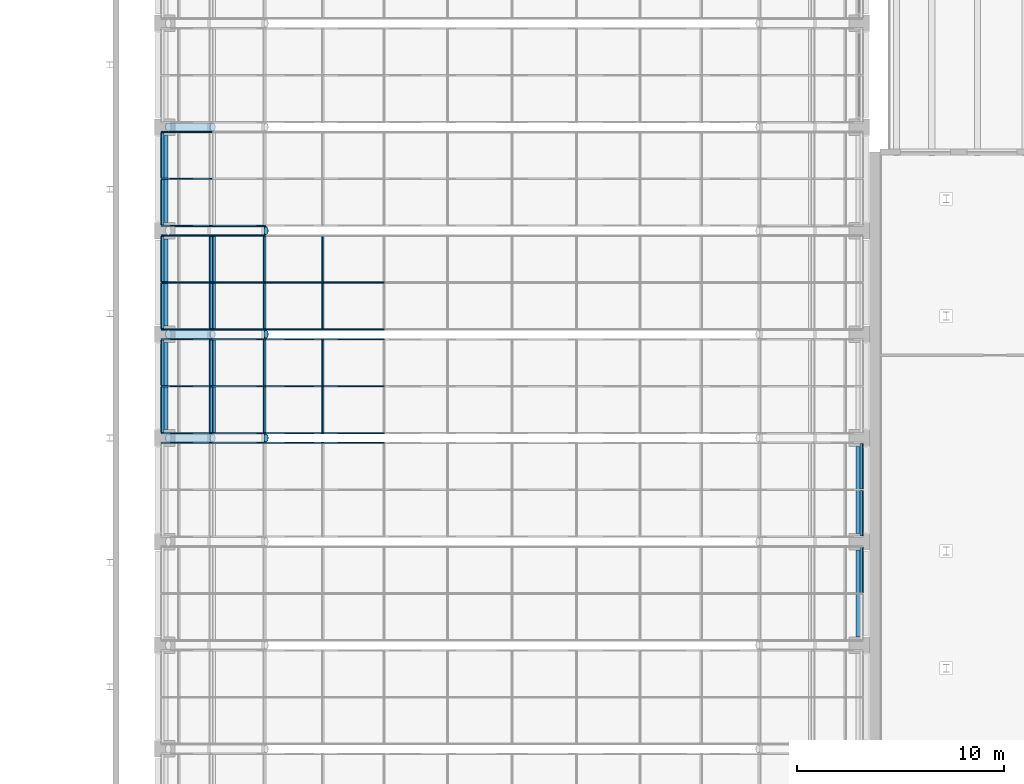
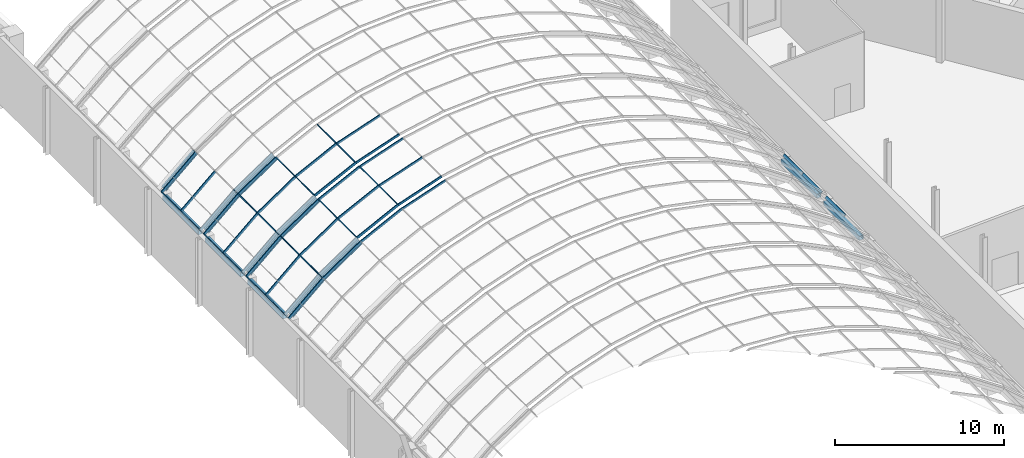
# One storey, part 78 of 182: 60 members, 5 beams, 5 elements without a shape of their own.
"""IFC4 building model written with IfcOpenShell, lengths in metres."""

from ifc_helpers import new_model, si_unit, direction, frame, origin, origin_2d, place, context, subcontext, project, spatial, rectangle, hollow_rectangle, hollow_circle, extrude, material, material_profile, profile_set, type_object, element, aggregate, save


model = new_model("IFC4")

# Units and contexts
model_context = context("Model", 3, precision=1e-05, world=origin(), true_north=direction((0.0, 1.0)))
body_context = subcontext(model_context, "Body", "Model", "MODEL_VIEW")
ifc_project = project(units=[si_unit("LENGTHUNIT", "METRE"), si_unit("AREAUNIT", "SQUARE_METRE"), si_unit("VOLUMEUNIT", "CUBIC_METRE"), si_unit("PLANEANGLEUNIT", "RADIAN"), si_unit("MASSUNIT", "GRAM", prefix="KILO")], contexts=[model_context])

# Site, building, storey
site_placement = place(None, origin())
site = spatial("IfcSite", under=ifc_project, at=site_placement, CompositionType="ELEMENT")
building_placement = place(site_placement, origin())
building = spatial("IfcBuilding", under=site, at=building_placement, Name="Okhra Congress Centre", CompositionType="ELEMENT")
storey_placement = place(building_placement, frame((0.0, 0.0, 7.199951171875)))
storey = spatial("IfcBuildingStorey", under=building, at=storey_placement, Name="L01", CompositionType="ELEMENT", Elevation=7.199951171875)

# Curtain wall, member
ifc_material_1 = material(Name="Aluminium frame with triple glazing", Category="aluminium")
curtain_wall_type = type_object("IfcCurtainWallType", Name="Glazed vault bay curtain wall", PredefinedType="NOTDEFINED", material=ifc_material_1)
curtain_wall_1_placement = place(storey_placement, origin())
curtain_wall_1 = element("IfcCurtainWall", 1, at=curtain_wall_1_placement, inside=storey, type_object=curtain_wall_type, Name="Vault glazing bay 22", PredefinedType="NOTDEFINED")
ifc_material_2 = material(Name="Aluminium alloy 6063", Category="aluminium")
ifc_material_profile_1 = material_profile(ifc_material_2, rectangle(XDim=0.06005859375, YDim=0.159912109375, at=origin_2d()), Name="AL 60x160")
ifc_profile_set_1 = profile_set([ifc_material_profile_1], Name="Aluminium alloy 6063")
member_type_1 = type_object("IfcMemberType", Name="Aluminium mullion 60x160", PredefinedType="MULLION", material=ifc_profile_set_1)
member_1_placement = place(storey_placement, frame((163.11328125, 185.766845703125, 7.12255859375), z_axis=(0.946065064306, 0.0, 0.323976687587), x_axis=(0.0, 1.0, 0.0)))
member_1 = element("IfcMember", 2, at=member_1_placement, type_object=member_type_1, Name="Vault mullion 22.3.4", PredefinedType="MULLION", context=body_context, shape_type="SweptSolid", body=[
    extrude(rectangle(XDim=0.06005859375, YDim=0.159912109375, at=origin_2d()), origin(), (0.0, 0.0, 1.0), 3.124267578125),
])

# Curtain wall, members
curtain_wall_2_placement = place(storey_placement, origin())
curtain_wall_2 = element("IfcCurtainWall", 3, at=curtain_wall_2_placement, inside=storey, type_object=curtain_wall_type, Name="Vault glazing bay 23", PredefinedType="NOTDEFINED")
member_2_placement = place(storey_placement, frame((163.11328125, 186.233154296875, 7.12255859375), z_axis=(0.946065064306, 0.0, 0.323976687587), x_axis=(0.0, 1.0, 0.0)))
member_2 = element("IfcMember", 4, at=member_2_placement, type_object=member_type_1, Name="Vault mullion 23.1.4", PredefinedType="MULLION", context=body_context, shape_type="SweptSolid", body=[
    extrude(rectangle(XDim=0.06005859375, YDim=0.159912109375, at=origin_2d()), origin(), (0.0, 0.0, 1.0), 3.124267578125),
])
member_3_placement = place(storey_placement, frame((163.11328125, 188.5, 7.12255859375), z_axis=(0.946065064306, 0.0, 0.323976687587), x_axis=(0.0, 1.0, 0.0)))
member_3 = element("IfcMember", 5, at=member_3_placement, type_object=member_type_1, Name="Vault mullion 23.2.4", PredefinedType="MULLION", context=body_context, shape_type="SweptSolid", body=[
    extrude(rectangle(XDim=0.06005859375, YDim=0.159912109375, at=origin_2d()), origin(), (0.0, 0.0, 1.0), 3.124267578125),
])
member_4_placement = place(storey_placement, frame((163.11328125, 190.766845703125, 7.12255859375), z_axis=(0.946065064306, 0.0, 0.323976687587), x_axis=(0.0, 1.0, 0.0)))
member_4 = element("IfcMember", 6, at=member_4_placement, type_object=member_type_1, Name="Vault mullion 23.3.4", PredefinedType="MULLION", context=body_context, shape_type="SweptSolid", body=[
    extrude(rectangle(XDim=0.06005859375, YDim=0.159912109375, at=origin_2d()), origin(), (0.0, 0.0, 1.0), 3.124267578125),
])

curtain_wall_3_placement = place(storey_placement, origin())
curtain_wall_3 = element("IfcCurtainWall", 7, at=curtain_wall_3_placement, inside=storey, type_object=curtain_wall_type, Name="Vault glazing bay 24", PredefinedType="NOTDEFINED")
member_5_placement = place(storey_placement, frame((163.11328125, 191.233154296875, 7.12255859375), z_axis=(0.946065064306, 0.0, 0.323976687587), x_axis=(0.0, 1.0, 0.0)))
member_5 = element("IfcMember", 8, at=member_5_placement, type_object=member_type_1, Name="Vault mullion 24.1.4", PredefinedType="MULLION", context=body_context, shape_type="SweptSolid", body=[
    extrude(rectangle(XDim=0.06005859375, YDim=0.159912109375, at=origin_2d()), origin(), (0.0, 0.0, 1.0), 3.124267578125),
])
member_6_placement = place(storey_placement, frame((163.11328125, 193.5, 7.12255859375), z_axis=(0.946065064306, 0.0, 0.323976687587), x_axis=(0.0, 1.0, 0.0)))
member_6 = element("IfcMember", 9, at=member_6_placement, type_object=member_type_1, Name="Vault mullion 24.2.4", PredefinedType="MULLION", context=body_context, shape_type="SweptSolid", body=[
    extrude(rectangle(XDim=0.06005859375, YDim=0.159912109375, at=origin_2d()), origin(), (0.0, 0.0, 1.0), 3.124267578125),
])

# Member
ifc_material_profile_2 = material_profile(ifc_material_2, rectangle(XDim=0.06005859375, YDim=0.179931640625, at=origin_2d()), Name="AL 60x180")
ifc_profile_set_2 = profile_set([ifc_material_profile_2], Name="Aluminium alloy 6063")
member_type_2 = type_object("IfcMemberType", Name="Aluminium mullion 60x180", PredefinedType="MULLION", material=ifc_profile_set_2)
member_7_placement = place(storey_placement, frame((155.382568359375, 185.766845703125, 1.916015625), z_axis=(0.748025229923, 0.0, 0.663670291183), x_axis=(0.0, 1.0, 0.0)))
member_7 = element("IfcMember", 10, at=member_7_placement, type_object=member_type_2, Name="Vault mullion 22.3.1", PredefinedType="MULLION", context=body_context, shape_type="SweptSolid", body=[
    extrude(rectangle(XDim=0.06005859375, YDim=0.179931640625, at=origin_2d()), origin(), (0.0, 0.0, 1.0), 3.125732421875),
])

member_8_placement = place(storey_placement, frame((157.720703125, 185.766845703125, 3.990478515625), z_axis=(0.828827846338, 0.0, 0.559503709671), x_axis=(0.0, 1.0, 0.0)))
member_8 = element("IfcMember", 11, at=member_8_placement, type_object=member_type_2, Name="Vault mullion 22.3.2", PredefinedType="MULLION", context=body_context, shape_type="SweptSolid", body=[
    extrude(rectangle(XDim=0.06005859375, YDim=0.179931640625, at=origin_2d()), origin(), (0.0, 0.0, 1.0), 3.12548828125),
])

member_9_placement = place(storey_placement, frame((160.311279296875, 185.766845703125, 5.7392578125), z_axis=(0.895253656313, 0.0, 0.445556832354), x_axis=(0.0, 1.0, 0.0)))
member_9 = element("IfcMember", 12, at=member_9_placement, type_object=member_type_2, Name="Vault mullion 22.3.3", PredefinedType="MULLION", context=body_context, shape_type="SweptSolid", body=[
    extrude(rectangle(XDim=0.06005859375, YDim=0.179931640625, at=origin_2d()), origin(), (0.0, 0.0, 1.0), 3.12548828125),
])

member_10_placement = place(storey_placement, frame((155.382568359375, 186.233154296875, 1.916015625), z_axis=(0.748025229923, 0.0, 0.663670291183), x_axis=(0.0, 1.0, 0.0)))
member_10 = element("IfcMember", 13, at=member_10_placement, type_object=member_type_2, Name="Vault mullion 23.1.1", PredefinedType="MULLION", context=body_context, shape_type="SweptSolid", body=[
    extrude(rectangle(XDim=0.06005859375, YDim=0.179931640625, at=origin_2d()), origin(), (0.0, 0.0, 1.0), 3.125732421875),
])

member_11_placement = place(storey_placement, frame((157.720703125, 186.233154296875, 3.990478515625), z_axis=(0.828827846338, 0.0, 0.559503709671), x_axis=(0.0, 1.0, 0.0)))
member_11 = element("IfcMember", 14, at=member_11_placement, type_object=member_type_2, Name="Vault mullion 23.1.2", PredefinedType="MULLION", context=body_context, shape_type="SweptSolid", body=[
    extrude(rectangle(XDim=0.06005859375, YDim=0.179931640625, at=origin_2d()), origin(), (0.0, 0.0, 1.0), 3.12548828125),
])

member_12_placement = place(storey_placement, frame((160.311279296875, 186.233154296875, 5.7392578125), z_axis=(0.895253656313, 0.0, 0.445556832354), x_axis=(0.0, 1.0, 0.0)))
member_12 = element("IfcMember", 15, at=member_12_placement, type_object=member_type_2, Name="Vault mullion 23.1.3", PredefinedType="MULLION", context=body_context, shape_type="SweptSolid", body=[
    extrude(rectangle(XDim=0.06005859375, YDim=0.179931640625, at=origin_2d()), origin(), (0.0, 0.0, 1.0), 3.12548828125),
])

member_13_placement = place(storey_placement, frame((155.382568359375, 188.5, 1.916015625), z_axis=(0.748025229923, 0.0, 0.663670291183), x_axis=(0.0, 1.0, 0.0)))
member_13 = element("IfcMember", 16, at=member_13_placement, type_object=member_type_2, Name="Vault mullion 23.2.1", PredefinedType="MULLION", context=body_context, shape_type="SweptSolid", body=[
    extrude(rectangle(XDim=0.06005859375, YDim=0.179931640625, at=origin_2d()), origin(), (0.0, 0.0, 1.0), 3.125732421875),
])

member_14_placement = place(storey_placement, frame((157.720703125, 188.5, 3.990478515625), z_axis=(0.828827846338, 0.0, 0.559503709671), x_axis=(0.0, 1.0, 0.0)))
member_14 = element("IfcMember", 17, at=member_14_placement, type_object=member_type_2, Name="Vault mullion 23.2.2", PredefinedType="MULLION", context=body_context, shape_type="SweptSolid", body=[
    extrude(rectangle(XDim=0.06005859375, YDim=0.179931640625, at=origin_2d()), origin(), (0.0, 0.0, 1.0), 3.12548828125),
])

member_15_placement = place(storey_placement, frame((160.311279296875, 188.5, 5.7392578125), z_axis=(0.895253656313, 0.0, 0.445556832354), x_axis=(0.0, 1.0, 0.0)))
member_15 = element("IfcMember", 18, at=member_15_placement, type_object=member_type_2, Name="Vault mullion 23.2.3", PredefinedType="MULLION", context=body_context, shape_type="SweptSolid", body=[
    extrude(rectangle(XDim=0.06005859375, YDim=0.179931640625, at=origin_2d()), origin(), (0.0, 0.0, 1.0), 3.12548828125),
])

member_16_placement = place(storey_placement, frame((155.382568359375, 190.766845703125, 1.916015625), z_axis=(0.748025229923, 0.0, 0.663670291183), x_axis=(0.0, 1.0, 0.0)))
member_16 = element("IfcMember", 19, at=member_16_placement, type_object=member_type_2, Name="Vault mullion 23.3.1", PredefinedType="MULLION", context=body_context, shape_type="SweptSolid", body=[
    extrude(rectangle(XDim=0.06005859375, YDim=0.179931640625, at=origin_2d()), origin(), (0.0, 0.0, 1.0), 3.125732421875),
])

member_17_placement = place(storey_placement, frame((157.720703125, 190.766845703125, 3.990478515625), z_axis=(0.828827846338, 0.0, 0.559503709671), x_axis=(0.0, 1.0, 0.0)))
member_17 = element("IfcMember", 20, at=member_17_placement, type_object=member_type_2, Name="Vault mullion 23.3.2", PredefinedType="MULLION", context=body_context, shape_type="SweptSolid", body=[
    extrude(rectangle(XDim=0.06005859375, YDim=0.179931640625, at=origin_2d()), origin(), (0.0, 0.0, 1.0), 3.12548828125),
])

member_18_placement = place(storey_placement, frame((160.311279296875, 190.766845703125, 5.7392578125), z_axis=(0.895253656313, 0.0, 0.445556832354), x_axis=(0.0, 1.0, 0.0)))
member_18 = element("IfcMember", 21, at=member_18_placement, type_object=member_type_2, Name="Vault mullion 23.3.3", PredefinedType="MULLION", context=body_context, shape_type="SweptSolid", body=[
    extrude(rectangle(XDim=0.06005859375, YDim=0.179931640625, at=origin_2d()), origin(), (0.0, 0.0, 1.0), 3.12548828125),
])

member_19_placement = place(storey_placement, frame((155.382568359375, 191.233154296875, 1.916015625), z_axis=(0.748025229923, 0.0, 0.663670291183), x_axis=(0.0, 1.0, 0.0)))
member_19 = element("IfcMember", 22, at=member_19_placement, type_object=member_type_2, Name="Vault mullion 24.1.1", PredefinedType="MULLION", context=body_context, shape_type="SweptSolid", body=[
    extrude(rectangle(XDim=0.06005859375, YDim=0.179931640625, at=origin_2d()), origin(), (0.0, 0.0, 1.0), 3.125732421875),
])

member_20_placement = place(storey_placement, frame((157.720703125, 191.233154296875, 3.990478515625), z_axis=(0.828827846338, 0.0, 0.559503709671), x_axis=(0.0, 1.0, 0.0)))
member_20 = element("IfcMember", 23, at=member_20_placement, type_object=member_type_2, Name="Vault mullion 24.1.2", PredefinedType="MULLION", context=body_context, shape_type="SweptSolid", body=[
    extrude(rectangle(XDim=0.06005859375, YDim=0.179931640625, at=origin_2d()), origin(), (0.0, 0.0, 1.0), 3.12548828125),
])

member_21_placement = place(storey_placement, frame((160.311279296875, 191.233154296875, 5.7392578125), z_axis=(0.895253656313, 0.0, 0.445556832354), x_axis=(0.0, 1.0, 0.0)))
member_21 = element("IfcMember", 24, at=member_21_placement, type_object=member_type_2, Name="Vault mullion 24.1.3", PredefinedType="MULLION", context=body_context, shape_type="SweptSolid", body=[
    extrude(rectangle(XDim=0.06005859375, YDim=0.179931640625, at=origin_2d()), origin(), (0.0, 0.0, 1.0), 3.12548828125),
])

member_22_placement = place(storey_placement, frame((155.382568359375, 193.5, 1.916015625), z_axis=(0.748025229923, 0.0, 0.663670291183), x_axis=(0.0, 1.0, 0.0)))
member_22 = element("IfcMember", 25, at=member_22_placement, type_object=member_type_2, Name="Vault mullion 24.2.1", PredefinedType="MULLION", context=body_context, shape_type="SweptSolid", body=[
    extrude(rectangle(XDim=0.06005859375, YDim=0.179931640625, at=origin_2d()), origin(), (0.0, 0.0, 1.0), 3.125732421875),
])

member_23_placement = place(storey_placement, frame((157.720703125, 193.5, 3.990478515625), z_axis=(0.828827846338, 0.0, 0.559503709671), x_axis=(0.0, 1.0, 0.0)))
member_23 = element("IfcMember", 26, at=member_23_placement, type_object=member_type_2, Name="Vault mullion 24.2.2", PredefinedType="MULLION", context=body_context, shape_type="SweptSolid", body=[
    extrude(rectangle(XDim=0.06005859375, YDim=0.179931640625, at=origin_2d()), origin(), (0.0, 0.0, 1.0), 3.12548828125),
])

member_24_placement = place(storey_placement, frame((160.311279296875, 193.5, 5.7392578125), z_axis=(0.895253656313, 0.0, 0.445556832354), x_axis=(0.0, 1.0, 0.0)))
member_24 = element("IfcMember", 27, at=member_24_placement, type_object=member_type_2, Name="Vault mullion 24.2.3", PredefinedType="MULLION", context=body_context, shape_type="SweptSolid", body=[
    extrude(rectangle(XDim=0.06005859375, YDim=0.179931640625, at=origin_2d()), origin(), (0.0, 0.0, 1.0), 3.12548828125),
])

member_25_placement = place(storey_placement, frame((155.382568359375, 195.766845703125, 1.916015625), z_axis=(0.748025229923, 0.0, 0.663670291183), x_axis=(0.0, 1.0, 0.0)))
member_25 = element("IfcMember", 28, at=member_25_placement, type_object=member_type_2, Name="Vault mullion 24.3.1", PredefinedType="MULLION", context=body_context, shape_type="SweptSolid", body=[
    extrude(rectangle(XDim=0.06005859375, YDim=0.179931640625, at=origin_2d()), origin(), (0.0, 0.0, 1.0), 3.125732421875),
])

member_26_placement = place(storey_placement, frame((157.720703125, 195.766845703125, 3.990478515625), z_axis=(0.828827846338, 0.0, 0.559503709671), x_axis=(0.0, 1.0, 0.0)))
member_26 = element("IfcMember", 29, at=member_26_placement, type_object=member_type_2, Name="Vault mullion 24.3.2", PredefinedType="MULLION", context=body_context, shape_type="SweptSolid", body=[
    extrude(rectangle(XDim=0.06005859375, YDim=0.179931640625, at=origin_2d()), origin(), (0.0, 0.0, 1.0), 3.12548828125),
])

# Curtain wall, members
curtain_wall_4_placement = place(storey_placement, origin())
curtain_wall_4 = element("IfcCurtainWall", 30, at=curtain_wall_4_placement, inside=storey, type_object=curtain_wall_type, Name="Vault glazing bay 25", PredefinedType="NOTDEFINED")
member_27_placement = place(storey_placement, frame((155.382568359375, 196.233154296875, 1.916015625), z_axis=(0.748025229923, 0.0, 0.663670291183), x_axis=(0.0, 1.0, 0.0)))
member_27 = element("IfcMember", 31, at=member_27_placement, type_object=member_type_2, Name="Vault mullion 25.1.1", PredefinedType="MULLION", context=body_context, shape_type="SweptSolid", body=[
    extrude(rectangle(XDim=0.06005859375, YDim=0.179931640625, at=origin_2d()), origin(), (0.0, 0.0, 1.0), 3.125732421875),
])
member_28_placement = place(storey_placement, frame((157.720703125, 196.233154296875, 3.990478515625), z_axis=(0.828827846338, 0.0, 0.559503709671), x_axis=(0.0, 1.0, 0.0)))
member_28 = element("IfcMember", 32, at=member_28_placement, type_object=member_type_2, Name="Vault mullion 25.1.2", PredefinedType="MULLION", context=body_context, shape_type="SweptSolid", body=[
    extrude(rectangle(XDim=0.06005859375, YDim=0.179931640625, at=origin_2d()), origin(), (0.0, 0.0, 1.0), 3.12548828125),
])
member_29_placement = place(storey_placement, frame((155.382568359375, 198.5, 1.916015625), z_axis=(0.748025229923, 0.0, 0.663670291183), x_axis=(0.0, 1.0, 0.0)))
member_29 = element("IfcMember", 33, at=member_29_placement, type_object=member_type_2, Name="Vault mullion 25.2.1", PredefinedType="MULLION", context=body_context, shape_type="SweptSolid", body=[
    extrude(rectangle(XDim=0.06005859375, YDim=0.179931640625, at=origin_2d()), origin(), (0.0, 0.0, 1.0), 3.125732421875),
])
member_30_placement = place(storey_placement, frame((155.382568359375, 200.766845703125, 1.916015625), z_axis=(0.748025229923, 0.0, 0.663670291183), x_axis=(0.0, 1.0, 0.0)))
member_30 = element("IfcMember", 34, at=member_30_placement, type_object=member_type_2, Name="Vault mullion 25.3.1", PredefinedType="MULLION", context=body_context, shape_type="SweptSolid", body=[
    extrude(rectangle(XDim=0.06005859375, YDim=0.179931640625, at=origin_2d()), origin(), (0.0, 0.0, 1.0), 3.125732421875),
])

# Member
ifc_material_profile_3 = material_profile(ifc_material_2, rectangle(XDim=0.06005859375, YDim=0.159912109375, at=origin_2d()), Name="AL 60x160 transom")
ifc_profile_set_3 = profile_set([ifc_material_profile_3], Name="Aluminium alloy 6063")
member_type_3 = type_object("IfcMemberType", Name="Aluminium transom 60x160", PredefinedType="USERDEFINED", material=ifc_profile_set_3)
member_31_placement = place(storey_placement, frame((163.11328125, 186.26318359375, 7.12255859375), z_axis=(0.0, 1.0, 0.0), x_axis=(-0.922668973833, 0.0, -0.38559300399)))
member_31 = element("IfcMember", 35, at=member_31_placement, type_object=member_type_3, Name="Vault transom 23.1.4", ObjectType="TRANSOM", PredefinedType="USERDEFINED", context=body_context, shape_type="SweptSolid", body=[
    extrude(rectangle(XDim=0.06005859375, YDim=0.159912109375, at=origin_2d()), origin(), (0.0, 0.0, 1.0), 2.206787109375),
])

member_32_placement = place(storey_placement, frame((163.11328125, 188.530029296875, 7.12255859375), z_axis=(0.0, 1.0, 0.0), x_axis=(-0.922668973833, 0.0, -0.38559300399)))
member_32 = element("IfcMember", 36, at=member_32_placement, type_object=member_type_3, Name="Vault transom 23.2.4", ObjectType="TRANSOM", PredefinedType="USERDEFINED", context=body_context, shape_type="SweptSolid", body=[
    extrude(rectangle(XDim=0.06005859375, YDim=0.159912109375, at=origin_2d()), origin(), (0.0, 0.0, 1.0), 2.206787109375),
])

member_33_placement = place(storey_placement, frame((163.11328125, 191.26318359375, 7.12255859375), z_axis=(0.0, 1.0, 0.0), x_axis=(-0.922668973833, 0.0, -0.38559300399)))
member_33 = element("IfcMember", 37, at=member_33_placement, type_object=member_type_3, Name="Vault transom 24.1.4", ObjectType="TRANSOM", PredefinedType="USERDEFINED", context=body_context, shape_type="SweptSolid", body=[
    extrude(rectangle(XDim=0.06005859375, YDim=0.159912109375, at=origin_2d()), origin(), (0.0, 0.0, 1.0), 2.206787109375),
])

member_34_placement = place(storey_placement, frame((163.11328125, 193.530029296875, 7.12255859375), z_axis=(0.0, 1.0, 0.0), x_axis=(-0.922668973833, 0.0, -0.38559300399)))
member_34 = element("IfcMember", 38, at=member_34_placement, type_object=member_type_3, Name="Vault transom 24.2.4", ObjectType="TRANSOM", PredefinedType="USERDEFINED", context=body_context, shape_type="SweptSolid", body=[
    extrude(rectangle(XDim=0.06005859375, YDim=0.159912109375, at=origin_2d()), origin(), (0.0, 0.0, 1.0), 2.206787109375),
])

# Curtain wall, member
curtain_wall_5_placement = place(storey_placement, origin())
curtain_wall_5 = element("IfcCurtainWall", 39, at=curtain_wall_5_placement, inside=storey, type_object=curtain_wall_type, Name="Vault glazing bay 21", PredefinedType="NOTDEFINED")
ifc_material_profile_4 = material_profile(ifc_material_2, rectangle(XDim=0.06005859375, YDim=0.179931640625, at=origin_2d()), Name="AL 60x180 transom")
ifc_profile_set_4 = profile_set([ifc_material_profile_4], Name="Aluminium alloy 6063")
member_type_4 = type_object("IfcMemberType", Name="Aluminium transom 60x180", PredefinedType="USERDEFINED", material=ifc_profile_set_4)
member_35_placement = place(storey_placement, frame((189.117431640625, 178.530029296875, 1.916015625), z_axis=(0.0, 1.0, 0.0), x_axis=(-0.702636070549, 0.0, 0.711549402616)))
member_35 = element("IfcMember", 40, at=member_35_placement, type_object=member_type_4, Name="Vault transom 21.2.13", ObjectType="TRANSOM", PredefinedType="USERDEFINED", context=body_context, shape_type="SweptSolid", body=[
    extrude(rectangle(XDim=0.06005859375, YDim=0.179931640625, at=origin_2d()), origin(), (0.0, 0.0, 1.0), 2.206787109375),
])
aggregate(curtain_wall_5, [member_35])

# Member
member_36_placement = place(storey_placement, frame((189.117431640625, 181.26318359375, 1.916015625), z_axis=(0.0, 1.0, 0.0), x_axis=(-0.702636070549, 0.0, 0.711549402616)))
member_36 = element("IfcMember", 41, at=member_36_placement, type_object=member_type_4, Name="Vault transom 22.1.13", ObjectType="TRANSOM", PredefinedType="USERDEFINED", context=body_context, shape_type="SweptSolid", body=[
    extrude(rectangle(XDim=0.06005859375, YDim=0.179931640625, at=origin_2d()), origin(), (0.0, 0.0, 1.0), 2.206787109375),
])

member_37_placement = place(storey_placement, frame((189.117431640625, 183.530029296875, 1.916015625), z_axis=(0.0, 1.0, 0.0), x_axis=(-0.702636070549, 0.0, 0.711549402616)))
member_37 = element("IfcMember", 42, at=member_37_placement, type_object=member_type_4, Name="Vault transom 22.2.13", ObjectType="TRANSOM", PredefinedType="USERDEFINED", context=body_context, shape_type="SweptSolid", body=[
    extrude(rectangle(XDim=0.06005859375, YDim=0.179931640625, at=origin_2d()), origin(), (0.0, 0.0, 1.0), 2.206787109375),
])

aggregate(curtain_wall_1, [member_7, member_8, member_9, member_1, member_36, member_37])

member_38_placement = place(storey_placement, frame((155.382568359375, 186.26318359375, 1.916015625), z_axis=(0.0, 1.0, 0.0), x_axis=(-0.702636070549, 0.0, -0.711549402616)))
member_38 = element("IfcMember", 43, at=member_38_placement, type_object=member_type_4, Name="Vault transom 23.1.1", ObjectType="TRANSOM", PredefinedType="USERDEFINED", context=body_context, shape_type="SweptSolid", body=[
    extrude(rectangle(XDim=0.06005859375, YDim=0.179931640625, at=origin_2d()), origin(), (0.0, 0.0, 1.0), 2.206787109375),
])

member_39_placement = place(storey_placement, frame((157.720703125, 186.26318359375, 3.990478515625), z_axis=(0.0, 1.0, 0.0), x_axis=(-0.790145035185, 0.0, -0.612919915954)))
member_39 = element("IfcMember", 44, at=member_39_placement, type_object=member_type_4, Name="Vault transom 23.1.2", ObjectType="TRANSOM", PredefinedType="USERDEFINED", context=body_context, shape_type="SweptSolid", body=[
    extrude(rectangle(XDim=0.06005859375, YDim=0.179931640625, at=origin_2d()), origin(), (0.0, 0.0, 1.0), 2.206787109375),
])

member_40_placement = place(storey_placement, frame((160.311279296875, 186.26318359375, 5.7392578125), z_axis=(0.0, 1.0, 0.0), x_axis=(-0.86391685861, 0.0, -0.503634452167)))
member_40 = element("IfcMember", 45, at=member_40_placement, type_object=member_type_4, Name="Vault transom 23.1.3", ObjectType="TRANSOM", PredefinedType="USERDEFINED", context=body_context, shape_type="SweptSolid", body=[
    extrude(rectangle(XDim=0.06005859375, YDim=0.179931640625, at=origin_2d()), origin(), (0.0, 0.0, 1.0), 2.206787109375),
])

member_41_placement = place(storey_placement, frame((155.382568359375, 188.530029296875, 1.916015625), z_axis=(0.0, 1.0, 0.0), x_axis=(-0.702636070549, 0.0, -0.711549402616)))
member_41 = element("IfcMember", 46, at=member_41_placement, type_object=member_type_4, Name="Vault transom 23.2.1", ObjectType="TRANSOM", PredefinedType="USERDEFINED", context=body_context, shape_type="SweptSolid", body=[
    extrude(rectangle(XDim=0.06005859375, YDim=0.179931640625, at=origin_2d()), origin(), (0.0, 0.0, 1.0), 2.206787109375),
])

member_42_placement = place(storey_placement, frame((157.720703125, 188.530029296875, 3.990478515625), z_axis=(0.0, 1.0, 0.0), x_axis=(-0.790145035185, 0.0, -0.612919915954)))
member_42 = element("IfcMember", 47, at=member_42_placement, type_object=member_type_4, Name="Vault transom 23.2.2", ObjectType="TRANSOM", PredefinedType="USERDEFINED", context=body_context, shape_type="SweptSolid", body=[
    extrude(rectangle(XDim=0.06005859375, YDim=0.179931640625, at=origin_2d()), origin(), (0.0, 0.0, 1.0), 2.206787109375),
])

member_43_placement = place(storey_placement, frame((160.311279296875, 188.530029296875, 5.7392578125), z_axis=(0.0, 1.0, 0.0), x_axis=(-0.86391685861, 0.0, -0.503634452167)))
member_43 = element("IfcMember", 48, at=member_43_placement, type_object=member_type_4, Name="Vault transom 23.2.3", ObjectType="TRANSOM", PredefinedType="USERDEFINED", context=body_context, shape_type="SweptSolid", body=[
    extrude(rectangle(XDim=0.06005859375, YDim=0.179931640625, at=origin_2d()), origin(), (0.0, 0.0, 1.0), 2.206787109375),
])

aggregate(curtain_wall_2, [member_10, member_11, member_12, member_2, member_13, member_14, member_15, member_3, member_16, member_17, member_18, member_4, member_38, member_39, member_40, member_31, member_41, member_42, member_43, member_32])

member_44_placement = place(storey_placement, frame((155.382568359375, 191.26318359375, 1.916015625), z_axis=(0.0, 1.0, 0.0), x_axis=(-0.702636070549, 0.0, -0.711549402616)))
member_44 = element("IfcMember", 49, at=member_44_placement, type_object=member_type_4, Name="Vault transom 24.1.1", ObjectType="TRANSOM", PredefinedType="USERDEFINED", context=body_context, shape_type="SweptSolid", body=[
    extrude(rectangle(XDim=0.06005859375, YDim=0.179931640625, at=origin_2d()), origin(), (0.0, 0.0, 1.0), 2.206787109375),
])

member_45_placement = place(storey_placement, frame((157.720703125, 191.26318359375, 3.990478515625), z_axis=(0.0, 1.0, 0.0), x_axis=(-0.790145035185, 0.0, -0.612919915954)))
member_45 = element("IfcMember", 50, at=member_45_placement, type_object=member_type_4, Name="Vault transom 24.1.2", ObjectType="TRANSOM", PredefinedType="USERDEFINED", context=body_context, shape_type="SweptSolid", body=[
    extrude(rectangle(XDim=0.06005859375, YDim=0.179931640625, at=origin_2d()), origin(), (0.0, 0.0, 1.0), 2.206787109375),
])

member_46_placement = place(storey_placement, frame((160.311279296875, 191.26318359375, 5.7392578125), z_axis=(0.0, 1.0, 0.0), x_axis=(-0.86391685861, 0.0, -0.503634452167)))
member_46 = element("IfcMember", 51, at=member_46_placement, type_object=member_type_4, Name="Vault transom 24.1.3", ObjectType="TRANSOM", PredefinedType="USERDEFINED", context=body_context, shape_type="SweptSolid", body=[
    extrude(rectangle(XDim=0.06005859375, YDim=0.179931640625, at=origin_2d()), origin(), (0.0, 0.0, 1.0), 2.206787109375),
])

member_47_placement = place(storey_placement, frame((155.382568359375, 193.530029296875, 1.916015625), z_axis=(0.0, 1.0, 0.0), x_axis=(-0.702636070549, 0.0, -0.711549402616)))
member_47 = element("IfcMember", 52, at=member_47_placement, type_object=member_type_4, Name="Vault transom 24.2.1", ObjectType="TRANSOM", PredefinedType="USERDEFINED", context=body_context, shape_type="SweptSolid", body=[
    extrude(rectangle(XDim=0.06005859375, YDim=0.179931640625, at=origin_2d()), origin(), (0.0, 0.0, 1.0), 2.206787109375),
])

member_48_placement = place(storey_placement, frame((157.720703125, 193.530029296875, 3.990478515625), z_axis=(0.0, 1.0, 0.0), x_axis=(-0.790145035185, 0.0, -0.612919915954)))
member_48 = element("IfcMember", 53, at=member_48_placement, type_object=member_type_4, Name="Vault transom 24.2.2", ObjectType="TRANSOM", PredefinedType="USERDEFINED", context=body_context, shape_type="SweptSolid", body=[
    extrude(rectangle(XDim=0.06005859375, YDim=0.179931640625, at=origin_2d()), origin(), (0.0, 0.0, 1.0), 2.206787109375),
])

member_49_placement = place(storey_placement, frame((160.311279296875, 193.530029296875, 5.7392578125), z_axis=(0.0, 1.0, 0.0), x_axis=(-0.86391685861, 0.0, -0.503634452167)))
member_49 = element("IfcMember", 54, at=member_49_placement, type_object=member_type_4, Name="Vault transom 24.2.3", ObjectType="TRANSOM", PredefinedType="USERDEFINED", context=body_context, shape_type="SweptSolid", body=[
    extrude(rectangle(XDim=0.06005859375, YDim=0.179931640625, at=origin_2d()), origin(), (0.0, 0.0, 1.0), 2.206787109375),
])

aggregate(curtain_wall_3, [member_19, member_20, member_21, member_5, member_22, member_23, member_24, member_6, member_25, member_26, member_44, member_45, member_46, member_33, member_47, member_48, member_49, member_34])

member_50_placement = place(storey_placement, frame((155.382568359375, 196.26318359375, 1.916015625), z_axis=(0.0, 1.0, 0.0), x_axis=(-0.702636070549, 0.0, -0.711549402616)))
member_50 = element("IfcMember", 55, at=member_50_placement, type_object=member_type_4, Name="Vault transom 25.1.1", ObjectType="TRANSOM", PredefinedType="USERDEFINED", context=body_context, shape_type="SweptSolid", body=[
    extrude(rectangle(XDim=0.06005859375, YDim=0.179931640625, at=origin_2d()), origin(), (0.0, 0.0, 1.0), 2.206787109375),
])

member_51_placement = place(storey_placement, frame((155.382568359375, 198.530029296875, 1.916015625), z_axis=(0.0, 1.0, 0.0), x_axis=(-0.702636070549, 0.0, -0.711549402616)))
member_51 = element("IfcMember", 56, at=member_51_placement, type_object=member_type_4, Name="Vault transom 25.2.1", ObjectType="TRANSOM", PredefinedType="USERDEFINED", context=body_context, shape_type="SweptSolid", body=[
    extrude(rectangle(XDim=0.06005859375, YDim=0.179931640625, at=origin_2d()), origin(), (0.0, 0.0, 1.0), 2.206787109375),
])

aggregate(curtain_wall_4, [member_27, member_28, member_29, member_30, member_50, member_51])

# Beams
ifc_material_3 = material(Name="Steel S355J2", Category="steel")
ifc_material_profile_5 = material_profile(ifc_material_3, hollow_rectangle(XDim=0.300048828125, YDim=0.300048828125, WallThickness=0.012451171875, at=origin_2d()), Name="RHS 300x300x12.5")
ifc_profile_set_5 = profile_set([ifc_material_profile_5], Name="Steel S355J2")
beam_type = type_object("IfcBeamType", Name="Steel eaves beam RHS 300x300x12.5", PredefinedType="BEAM", material=ifc_profile_set_5)
for number, where, z_axis, x_axis, name in (
    (57, (189.0, 176.39990234375, 1.650146484375), (0.0, 1.0, 0.0), (-1.0, 0.0, 0.0), "Eaves beam E21"),
    (58, (189.0, 181.39990234375, 1.650146484375), (0.0, 1.0, 0.0), (-1.0, 0.0, 0.0), "Eaves beam E22"),
    (59, (155.5, 186.39990234375, 1.650146484375), (0.0, 1.0, 0.0), (-1.0, 0.0, 0.0), "Eaves beam W23"),
    (60, (155.5, 191.39990234375, 1.650146484375), (0.0, 1.0, 0.0), (-1.0, 0.0, 0.0), "Eaves beam W24"),
    (61, (155.5, 196.39990234375, 1.650146484375), (0.0, 1.0, 0.0), (-1.0, 0.0, 0.0), "Eaves beam W25"),
):
    element("IfcBeam", number, at=place(storey_placement, frame(where, z_axis=z_axis, x_axis=x_axis)), inside=storey, type_object=beam_type, Name=name, PredefinedType="BEAM", context=body_context, shape_type="SweptSolid", body=[
        extrude(hollow_rectangle(XDim=0.300048828125, YDim=0.300048828125, WallThickness=0.012451171875, at=origin_2d()), origin(), (0.0, 0.0, 1.0), 4.2001953125),
    ])

# Members
ifc_material_profile_6 = material_profile(ifc_material_3, hollow_rectangle(XDim=0.10009765625, YDim=0.199951171875, WallThickness=0.008056640625, at=origin_2d()), Name="RHS 200x100x8")
ifc_profile_set_6 = profile_set([ifc_material_profile_6], Name="Steel S355J2")
member_type_5 = type_object("IfcMemberType", Name="Steel purlin RHS 200x100x8", PredefinedType="PURLIN", material=ifc_profile_set_6)
for number, where, z_axis, x_axis, name in (
    (62, (157.837158203125, 186.203125, 3.84033203125), (0.0, 1.0, 0.0), (-0.790145035185, 0.0, -0.612919915954), "Vault purlin 23.1"),
    (63, (157.837158203125, 191.203125, 3.84033203125), (0.0, 1.0, 0.0), (-0.790145035185, 0.0, -0.612919915954), "Vault purlin 24.1"),
):
    element("IfcMember", number, at=place(storey_placement, frame(where, z_axis=z_axis, x_axis=x_axis)), inside=storey, type_object=member_type_5, Name=name, PredefinedType="PURLIN", context=body_context, shape_type="SweptSolid", body=[
        extrude(hollow_rectangle(XDim=0.10009765625, YDim=0.199951171875, WallThickness=0.008056640625, at=origin_2d()), origin(), (0.0, 0.0, 1.0), 4.59375),
    ])
ifc_material_profile_7 = material_profile(ifc_material_3, hollow_circle(Radius=0.203125, WallThickness=0.01611328125, at=origin_2d()), Name="CHS 406.4x16")
ifc_profile_set_7 = profile_set([ifc_material_profile_7], Name="Steel S355J2")
member_type_6 = type_object("IfcMemberType", Name="Tubular steel arch rib CHS 406x16", PredefinedType="USERDEFINED", material=ifc_profile_set_7)
member_52_placement = place(storey_placement, frame((155.67138671875, 186.0, 1.9521484375), z_axis=(0.74800221093, 0.0, 0.663696235069), x_axis=(0.0, 1.0, 0.0)))
element("IfcMember", 64, at=member_52_placement, inside=storey, type_object=member_type_6, Name="Arch rib 23.1", ObjectType="Arch rib", PredefinedType="USERDEFINED", context=body_context, shape_type="SweptSolid", body=[
    extrude(hollow_circle(Radius=0.203125, WallThickness=0.01611328125, at=origin_2d()), origin(), (0.0, 0.0, 1.0), 2.861083984375),
])
member_53_placement = place(storey_placement, frame((157.8330078125, 186.0, 3.86767578125), z_axis=(0.82882567543, 0.0, 0.559506925558), x_axis=(0.0, 1.0, 0.0)))
element("IfcMember", 65, at=member_53_placement, inside=storey, type_object=member_type_6, Name="Arch rib 23.2", ObjectType="Arch rib", PredefinedType="USERDEFINED", context=body_context, shape_type="SweptSolid", body=[
    extrude(hollow_circle(Radius=0.203125, WallThickness=0.01611328125, at=origin_2d()), origin(), (0.0, 0.0, 1.0), 3.07666015625),
])
member_54_placement = place(storey_placement, frame((155.67138671875, 191.0, 1.9521484375), z_axis=(0.74800221093, 0.0, 0.663696235069), x_axis=(0.0, 1.0, 0.0)))
element("IfcMember", 66, at=member_54_placement, inside=storey, type_object=member_type_6, Name="Arch rib 24.1", ObjectType="Arch rib", PredefinedType="USERDEFINED", context=body_context, shape_type="SweptSolid", body=[
    extrude(hollow_circle(Radius=0.203125, WallThickness=0.01611328125, at=origin_2d()), origin(), (0.0, 0.0, 1.0), 2.861083984375),
])
member_55_placement = place(storey_placement, frame((157.8330078125, 191.0, 3.86767578125), z_axis=(0.82882567543, 0.0, 0.559506925558), x_axis=(0.0, 1.0, 0.0)))
element("IfcMember", 67, at=member_55_placement, inside=storey, type_object=member_type_6, Name="Arch rib 24.2", ObjectType="Arch rib", PredefinedType="USERDEFINED", context=body_context, shape_type="SweptSolid", body=[
    extrude(hollow_circle(Radius=0.203125, WallThickness=0.01611328125, at=origin_2d()), origin(), (0.0, 0.0, 1.0), 3.07666015625),
])
member_56_placement = place(storey_placement, frame((155.67138671875, 196.0, 1.9521484375), z_axis=(0.74800221093, 0.0, 0.663696235069), x_axis=(0.0, 1.0, 0.0)))
element("IfcMember", 68, at=member_56_placement, inside=storey, type_object=member_type_6, Name="Arch rib 25.1", ObjectType="Arch rib", PredefinedType="USERDEFINED", context=body_context, shape_type="SweptSolid", body=[
    extrude(hollow_circle(Radius=0.203125, WallThickness=0.01611328125, at=origin_2d()), origin(), (0.0, 0.0, 1.0), 2.861083984375),
])
member_57_placement = place(storey_placement, frame((157.8330078125, 196.0, 3.86767578125), z_axis=(0.82882567543, 0.0, 0.559506925558), x_axis=(0.0, 1.0, 0.0)))
element("IfcMember", 69, at=member_57_placement, inside=storey, type_object=member_type_6, Name="Arch rib 25.2", ObjectType="Arch rib", PredefinedType="USERDEFINED", context=body_context, shape_type="SweptSolid", body=[
    extrude(hollow_circle(Radius=0.203125, WallThickness=0.01611328125, at=origin_2d()), origin(), (0.0, 0.0, 1.0), 3.07666015625),
])
member_58_placement = place(storey_placement, frame((155.67138671875, 201.0, 1.9521484375), z_axis=(0.74800221093, 0.0, 0.663696235069), x_axis=(0.0, 1.0, 0.0)))
element("IfcMember", 70, at=member_58_placement, inside=storey, type_object=member_type_6, Name="Arch rib 26.1", ObjectType="Arch rib", PredefinedType="USERDEFINED", context=body_context, shape_type="SweptSolid", body=[
    extrude(hollow_circle(Radius=0.203125, WallThickness=0.01611328125, at=origin_2d()), origin(), (0.0, 0.0, 1.0), 2.861083984375),
])

save(model, "model.ifc")
